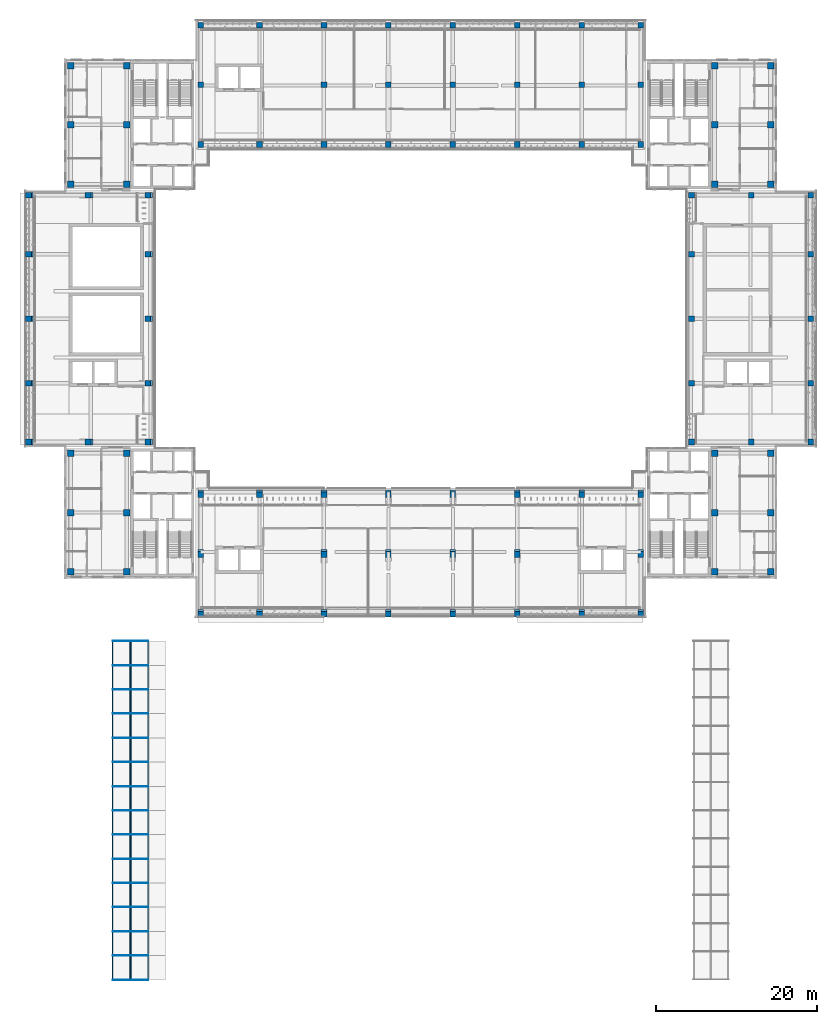
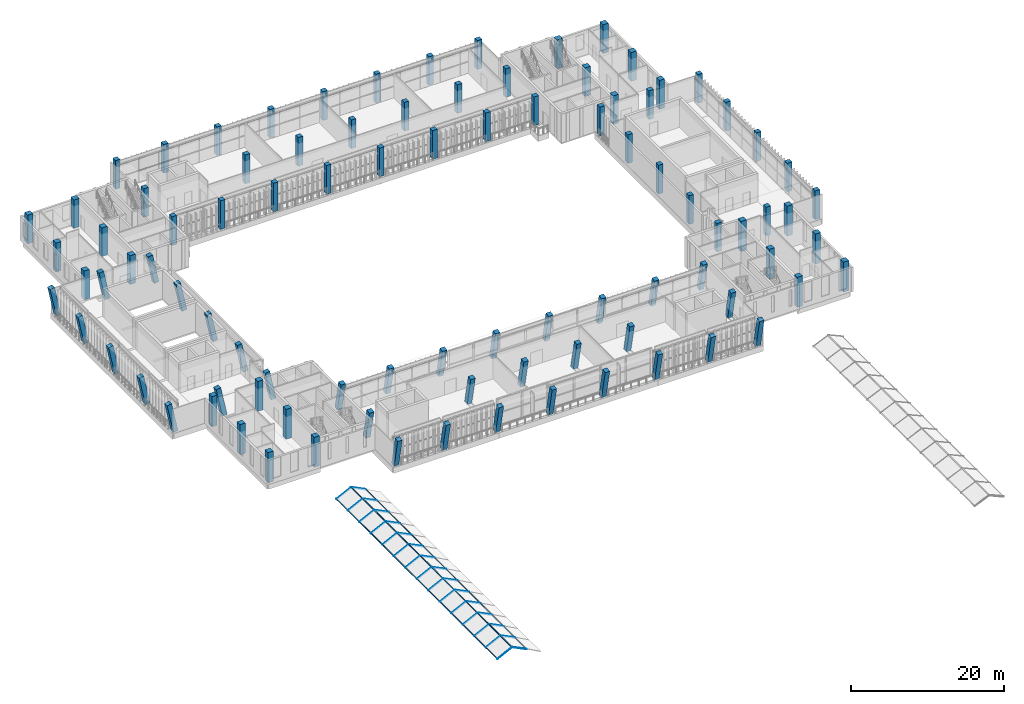
# One storey, part 1 of 73: 93 columns, 33 members, 1 element without a shape of its own.
"""IFC4 building model written with IfcOpenShell, lengths in metres."""

from ifc_helpers import new_model, si_unit, direction, frame, origin, origin_2d, place, context, subcontext, project, spatial, rectangle, extrude, material, layer, layer_set, material_profile, profile_set, type_object, element, aggregate, save


model = new_model("IFC4")

# Units and contexts
model_context = context("Model", 3, precision=1e-05, world=origin(), true_north=direction((0.0, 1.0)))
body_context = subcontext(model_context, "Body", "Model", "MODEL_VIEW")
ifc_project = project(units=[si_unit("LENGTHUNIT", "METRE"), si_unit("AREAUNIT", "SQUARE_METRE"), si_unit("VOLUMEUNIT", "CUBIC_METRE"), si_unit("PLANEANGLEUNIT", "RADIAN"), si_unit("MASSUNIT", "GRAM", prefix="KILO")], contexts=[model_context])

# Site, building, storey
site_placement = place(None, origin())
site = spatial("IfcSite", under=ifc_project, at=site_placement, CompositionType="ELEMENT")
building_placement = place(site_placement, origin())
building = spatial("IfcBuilding", under=site, at=building_placement, Name="Lantern Court Media Centre", CompositionType="ELEMENT")
storey_placement = place(building_placement, frame((0.0, 0.0, 24.0)))
storey = spatial("IfcBuildingStorey", under=building, at=storey_placement, Name="L05", CompositionType="ELEMENT", Elevation=24.0)

# Columns
ifc_material_1 = material(Name="Concrete C35", Category="concrete")
ifc_material_profile_1 = material_profile(ifc_material_1, rectangle(XDim=0.699951171875, YDim=0.699951171875, at=origin_2d()), Name="RC 700x700")
ifc_profile_set_1 = profile_set([ifc_material_profile_1], Name="Concrete C35")
column_type_1 = type_object("IfcColumnType", Name="RC COLUMN 700x700", PredefinedType="COLUMN", material=ifc_profile_set_1)
for number, where, z_axis, x_axis, name in (
    (1, (24.699951171875, 43.60009765625, 0.0), (0.0, -0.203987596239, 0.978973472869), (1.0, 0.0, 0.0), "C-S-0-0-L05"),
    (2, (32.0, 43.60009765625, 0.0), (0.0, -0.203987596239, 0.978973472869), (1.0, 0.0, 0.0), "C-S-0-1-L05"),
    (3, (40.0, 43.60009765625, 0.0), (0.0, -0.203987596239, 0.978973472869), (1.0, 0.0, 0.0), "C-S-0-2-L05"),
    (4, (48.0, 43.60009765625, 0.0), (0.0, -0.203987596239, 0.978973472869), (1.0, 0.0, 0.0), "C-S-0-3-L05"),
    (5, (56.0, 43.60009765625, 0.0), (0.0, -0.203987596239, 0.978973472869), (1.0, 0.0, 0.0), "C-S-0-4-L05"),
    (6, (64.0, 43.60009765625, 0.0), (0.0, -0.203987596239, 0.978973472869), (1.0, 0.0, 0.0), "C-S-0-5-L05"),
    (7, (72.0, 43.60009765625, 0.0), (0.0, -0.203987596239, 0.978973472869), (1.0, 0.0, 0.0), "C-S-0-6-L05"),
    (8, (79.300048828125, 43.60009765625, 0.0), (0.0, -0.203987596239, 0.978973472869), (1.0, 0.0, 0.0), "C-S-0-7-L05"),
    (9, (24.699951171875, 51.0, 0.0), (0.0, -0.203937582782, 0.978983892783), (1.0, 0.0, 0.0), "C-S-1-0-L05"),
    (10, (40.0, 51.0, 0.0), (0.0, -0.203937582782, 0.978983892783), (1.0, 0.0, 0.0), "C-S-1-2-L05"),
    (11, (48.0, 51.0, 0.0), (0.0, -0.203937582782, 0.978983892783), (1.0, 0.0, 0.0), "C-S-1-3-L05"),
    (12, (56.0, 51.0, 0.0), (0.0, -0.203937582782, 0.978983892783), (1.0, 0.0, 0.0), "C-S-1-4-L05"),
    (13, (64.0, 51.0, 0.0), (0.0, -0.203937582782, 0.978983892783), (1.0, 0.0, 0.0), "C-S-1-5-L05"),
    (14, (79.300048828125, 51.0, 0.0), (0.0, -0.203937582782, 0.978983892783), (1.0, 0.0, 0.0), "C-S-1-7-L05"),
    (15, (24.699951171875, 58.39990234375, 0.0), (0.0, -0.203937582782, 0.978983892783), (1.0, 0.0, 0.0), "C-S-2-0-L05"),
    (16, (32.0, 58.39990234375, 0.0), (0.0, -0.203937582782, 0.978983892783), (1.0, 0.0, 0.0), "C-S-2-1-L05"),
    (17, (40.0, 58.39990234375, 0.0), (0.0, -0.203937582782, 0.978983892783), (1.0, 0.0, 0.0), "C-S-2-2-L05"),
    (18, (48.0, 58.39990234375, 0.0), (0.0, -0.203937582782, 0.978983892783), (1.0, 0.0, 0.0), "C-S-2-3-L05"),
    (19, (56.0, 58.39990234375, 0.0), (0.0, -0.203937582782, 0.978983892783), (1.0, 0.0, 0.0), "C-S-2-4-L05"),
    (20, (64.0, 58.39990234375, 0.0), (0.0, -0.203937582782, 0.978983892783), (1.0, 0.0, 0.0), "C-S-2-5-L05"),
    (21, (72.0, 58.39990234375, 0.0), (0.0, -0.203937582782, 0.978983892783), (1.0, 0.0, 0.0), "C-S-2-6-L05"),
    (22, (79.300048828125, 58.39990234375, 0.0), (0.0, -0.203937582782, 0.978983892783), (1.0, 0.0, 0.0), "C-S-2-7-L05"),
):
    element("IfcColumn", number, at=place(storey_placement, frame(where, z_axis=z_axis, x_axis=x_axis)), inside=storey, type_object=column_type_1, Name=name, PredefinedType="COLUMN", context=body_context, shape_type="SweptSolid", body=[
        extrude(rectangle(XDim=0.699951171875, YDim=0.699951171875, at=origin_2d()), origin(), (0.0, 0.0, 1.0), 4.678466796875),
    ])
for number, where, z_axis, x_axis, name in (
    (23, (24.699951171875, 101.60009765625, 0.0), (0.0, 0.0, 1.0), (1.0, 0.0, 0.0), "C-N-0-0-L05"),
    (24, (32.0, 101.60009765625, 0.0), (0.0, 0.0, 1.0), (1.0, 0.0, 0.0), "C-N-0-1-L05"),
    (25, (40.0, 101.60009765625, 0.0), (0.0, 0.0, 1.0), (1.0, 0.0, 0.0), "C-N-0-2-L05"),
    (26, (48.0, 101.60009765625, 0.0), (0.0, 0.0, 1.0), (1.0, 0.0, 0.0), "C-N-0-3-L05"),
    (27, (56.0, 101.60009765625, 0.0), (0.0, 0.0, 1.0), (1.0, 0.0, 0.0), "C-N-0-4-L05"),
    (28, (64.0, 101.60009765625, 0.0), (0.0, 0.0, 1.0), (1.0, 0.0, 0.0), "C-N-0-5-L05"),
    (29, (72.0, 101.60009765625, 0.0), (0.0, 0.0, 1.0), (1.0, 0.0, 0.0), "C-N-0-6-L05"),
    (30, (79.300048828125, 101.60009765625, 0.0), (0.0, 0.0, 1.0), (1.0, 0.0, 0.0), "C-N-0-7-L05"),
    (31, (24.699951171875, 109.0, 0.0), (0.0, 0.0, 1.0), (1.0, 0.0, 0.0), "C-N-1-0-L05"),
    (32, (40.0, 109.0, 0.0), (0.0, 0.0, 1.0), (1.0, 0.0, 0.0), "C-N-1-2-L05"),
    (33, (48.0, 109.0, 0.0), (0.0, 0.0, 1.0), (1.0, 0.0, 0.0), "C-N-1-3-L05"),
    (34, (56.0, 109.0, 0.0), (0.0, 0.0, 1.0), (1.0, 0.0, 0.0), "C-N-1-4-L05"),
    (35, (64.0, 109.0, 0.0), (0.0, 0.0, 1.0), (1.0, 0.0, 0.0), "C-N-1-5-L05"),
    (36, (72.0, 109.0, 0.0), (0.0, 0.0, 1.0), (1.0, 0.0, 0.0), "C-N-1-6-L05"),
    (37, (79.300048828125, 109.0, 0.0), (0.0, 0.0, 1.0), (1.0, 0.0, 0.0), "C-N-1-7-L05"),
    (38, (24.699951171875, 116.39990234375, 0.0), (0.0, 0.0, 1.0), (1.0, 0.0, 0.0), "C-N-2-0-L05"),
    (39, (32.0, 116.39990234375, 0.0), (0.0, 0.0, 1.0), (1.0, 0.0, 0.0), "C-N-2-1-L05"),
    (40, (40.0, 116.39990234375, 0.0), (0.0, 0.0, 1.0), (1.0, 0.0, 0.0), "C-N-2-2-L05"),
    (41, (48.0, 116.39990234375, 0.0), (0.0, 0.0, 1.0), (1.0, 0.0, 0.0), "C-N-2-3-L05"),
    (42, (56.0, 116.39990234375, 0.0), (0.0, 0.0, 1.0), (1.0, 0.0, 0.0), "C-N-2-4-L05"),
    (43, (64.0, 116.39990234375, 0.0), (0.0, 0.0, 1.0), (1.0, 0.0, 0.0), "C-N-2-5-L05"),
    (44, (72.0, 116.39990234375, 0.0), (0.0, 0.0, 1.0), (1.0, 0.0, 0.0), "C-N-2-6-L05"),
    (45, (79.300048828125, 116.39990234375, 0.0), (0.0, 0.0, 1.0), (1.0, 0.0, 0.0), "C-N-2-7-L05"),
):
    element("IfcColumn", number, at=place(storey_placement, frame(where, z_axis=z_axis, x_axis=x_axis)), inside=storey, type_object=column_type_1, Name=name, PredefinedType="COLUMN", context=body_context, shape_type="SweptSolid", body=[
        extrude(rectangle(XDim=0.699951171875, YDim=0.699951171875, at=origin_2d()), origin(), (0.0, 0.0, 1.0), 4.580078125),
    ])
for number, where, z_axis, x_axis, name in (
    (46, (3.60009765625, 64.699951171875, 0.0), (-0.203987596239, 0.0, 0.978973472869), (0.0, -1.0, 0.0), "C-W-0-0-L05"),
    (47, (3.60009765625, 72.0, 0.0), (-0.203987596239, 0.0, 0.978973472869), (0.0, -1.0, 0.0), "C-W-0-1-L05"),
    (48, (3.60009765625, 80.0, 0.0), (-0.203987596239, 0.0, 0.978973472869), (0.0, -1.0, 0.0), "C-W-0-2-L05"),
    (49, (3.60009765625, 88.0, 0.0), (-0.203987596239, 0.0, 0.978973472869), (0.0, -1.0, 0.0), "C-W-0-3-L05"),
    (50, (3.60009765625, 95.300048828125, 0.0), (-0.203987596239, 0.0, 0.978973472869), (0.0, -1.0, 0.0), "C-W-0-4-L05"),
    (51, (11.0, 64.699951171875, 0.0), (-0.203937582782, 0.0, 0.978983892783), (0.0, -1.0, 0.0), "C-W-1-0-L05"),
    (52, (11.0, 95.300048828125, 0.0), (-0.203937582782, 0.0, 0.978983892783), (0.0, -1.0, 0.0), "C-W-1-4-L05"),
    (53, (18.39990234375, 64.699951171875, 0.0), (-0.203937582782, 0.0, 0.978983892783), (0.0, -1.0, 0.0), "C-W-2-0-L05"),
    (54, (18.39990234375, 72.0, 0.0), (-0.203937582782, 0.0, 0.978983892783), (0.0, -1.0, 0.0), "C-W-2-1-L05"),
    (55, (18.39990234375, 80.0, 0.0), (-0.203937582782, 0.0, 0.978983892783), (0.0, -1.0, 0.0), "C-W-2-2-L05"),
    (56, (18.39990234375, 88.0, 0.0), (-0.203937582782, 0.0, 0.978983892783), (0.0, -1.0, 0.0), "C-W-2-3-L05"),
    (57, (18.39990234375, 95.300048828125, 0.0), (-0.203937582782, 0.0, 0.978983892783), (0.0, -1.0, 0.0), "C-W-2-4-L05"),
):
    element("IfcColumn", number, at=place(storey_placement, frame(where, z_axis=z_axis, x_axis=x_axis)), inside=storey, type_object=column_type_1, Name=name, PredefinedType="COLUMN", context=body_context, shape_type="SweptSolid", body=[
        extrude(rectangle(XDim=0.699951171875, YDim=0.699951171875, at=origin_2d()), origin(), (0.0, 0.0, 1.0), 4.678466796875),
    ])
for number, where, z_axis, x_axis, name in (
    (58, (85.60009765625, 64.699951171875, 0.0), (0.0, 0.0, 1.0), (1.0, 0.0, 0.0), "C-E-0-0-L05"),
    (59, (85.60009765625, 72.0, 0.0), (0.0, 0.0, 1.0), (1.0, 0.0, 0.0), "C-E-0-1-L05"),
    (60, (85.60009765625, 80.0, 0.0), (0.0, 0.0, 1.0), (1.0, 0.0, 0.0), "C-E-0-2-L05"),
    (61, (85.60009765625, 88.0, 0.0), (0.0, 0.0, 1.0), (1.0, 0.0, 0.0), "C-E-0-3-L05"),
    (62, (85.60009765625, 95.300048828125, 0.0), (0.0, 0.0, 1.0), (1.0, 0.0, 0.0), "C-E-0-4-L05"),
    (63, (93.0, 64.699951171875, 0.0), (0.0, 0.0, 1.0), (1.0, 0.0, 0.0), "C-E-1-0-L05"),
    (64, (93.0, 95.300048828125, 0.0), (0.0, 0.0, 1.0), (1.0, 0.0, 0.0), "C-E-1-4-L05"),
    (65, (100.39990234375, 64.699951171875, 0.0), (0.0, 0.0, 1.0), (1.0, 0.0, 0.0), "C-E-2-0-L05"),
    (66, (100.39990234375, 72.0, 0.0), (0.0, 0.0, 1.0), (1.0, 0.0, 0.0), "C-E-2-1-L05"),
    (67, (100.39990234375, 80.0, 0.0), (0.0, 0.0, 1.0), (1.0, 0.0, 0.0), "C-E-2-2-L05"),
    (68, (100.39990234375, 88.0, 0.0), (0.0, 0.0, 1.0), (1.0, 0.0, 0.0), "C-E-2-3-L05"),
    (69, (100.39990234375, 95.300048828125, 0.0), (0.0, 0.0, 1.0), (1.0, 0.0, 0.0), "C-E-2-4-L05"),
):
    element("IfcColumn", number, at=place(storey_placement, frame(where, z_axis=z_axis, x_axis=x_axis)), inside=storey, type_object=column_type_1, Name=name, PredefinedType="COLUMN", context=body_context, shape_type="SweptSolid", body=[
        extrude(rectangle(XDim=0.699951171875, YDim=0.699951171875, at=origin_2d()), origin(), (0.0, 0.0, 1.0), 4.580078125),
    ])
ifc_material_profile_2 = material_profile(ifc_material_1, rectangle(XDim=0.800048828125, YDim=0.800048828125, at=origin_2d()), Name="RC 800x800")
ifc_profile_set_2 = profile_set([ifc_material_profile_2], Name="Concrete C35")
column_type_2 = type_object("IfcColumnType", Name="RC COLUMN 800x800", PredefinedType="COLUMN", material=ifc_profile_set_2)
for number, where, z_axis, x_axis, name in (
    (70, (8.60009765625, 48.60009765625, 0.0), (0.0, 0.0, 1.0), (1.0, 0.0, 0.0), "C-SW-0-L05"),
    (71, (8.60009765625, 55.949951171875, 0.0), (0.0, 0.0, 1.0), (1.0, 0.0, 0.0), "C-SW-1-L05"),
    (72, (8.60009765625, 63.300048828125, 0.0), (0.0, 0.0, 1.0), (1.0, 0.0, 0.0), "C-SW-2-L05"),
    (73, (15.550048828125, 48.60009765625, 0.0), (0.0, 0.0, 1.0), (1.0, 0.0, 0.0), "C-SW-3-L05"),
    (74, (15.550048828125, 55.949951171875, 0.0), (0.0, 0.0, 1.0), (1.0, 0.0, 0.0), "C-SW-4-L05"),
    (75, (15.550048828125, 63.300048828125, 0.0), (0.0, 0.0, 1.0), (1.0, 0.0, 0.0), "C-SW-5-L05"),
    (76, (88.449951171875, 48.60009765625, 0.0), (0.0, 0.0, 1.0), (1.0, 0.0, 0.0), "C-SE-0-L05"),
    (77, (88.449951171875, 55.949951171875, 0.0), (0.0, 0.0, 1.0), (1.0, 0.0, 0.0), "C-SE-1-L05"),
    (78, (88.449951171875, 63.300048828125, 0.0), (0.0, 0.0, 1.0), (1.0, 0.0, 0.0), "C-SE-2-L05"),
    (79, (95.39990234375, 48.60009765625, 0.0), (0.0, 0.0, 1.0), (1.0, 0.0, 0.0), "C-SE-3-L05"),
    (80, (95.39990234375, 55.949951171875, 0.0), (0.0, 0.0, 1.0), (1.0, 0.0, 0.0), "C-SE-4-L05"),
    (81, (95.39990234375, 63.300048828125, 0.0), (0.0, 0.0, 1.0), (1.0, 0.0, 0.0), "C-SE-5-L05"),
):
    element("IfcColumn", number, at=place(storey_placement, frame(where, z_axis=z_axis, x_axis=x_axis)), inside=storey, type_object=column_type_2, Name=name, PredefinedType="COLUMN", context=body_context, shape_type="SweptSolid", body=[
        extrude(rectangle(XDim=0.800048828125, YDim=0.800048828125, at=origin_2d()), origin(), (0.0, 0.0, 1.0), 4.800048828125),
    ])
for number, where, z_axis, x_axis, name in (
    (82, (8.60009765625, 96.699951171875, 0.0), (0.0, 0.0, 1.0), (1.0, 0.0, 0.0), "C-NW-0-L05"),
    (83, (8.60009765625, 104.050048828125, 0.0), (0.0, 0.0, 1.0), (1.0, 0.0, 0.0), "C-NW-1-L05"),
    (84, (8.60009765625, 111.39990234375, 0.0), (0.0, 0.0, 1.0), (1.0, 0.0, 0.0), "C-NW-2-L05"),
    (85, (15.550048828125, 96.699951171875, 0.0), (0.0, 0.0, 1.0), (1.0, 0.0, 0.0), "C-NW-3-L05"),
    (86, (15.550048828125, 104.050048828125, 0.0), (0.0, 0.0, 1.0), (1.0, 0.0, 0.0), "C-NW-4-L05"),
    (87, (15.550048828125, 111.39990234375, 0.0), (0.0, 0.0, 1.0), (1.0, 0.0, 0.0), "C-NW-5-L05"),
    (88, (88.449951171875, 96.699951171875, 0.0), (0.0, 0.0, 1.0), (1.0, 0.0, 0.0), "C-NE-0-L05"),
    (89, (88.449951171875, 104.050048828125, 0.0), (0.0, 0.0, 1.0), (1.0, 0.0, 0.0), "C-NE-1-L05"),
    (90, (88.449951171875, 111.39990234375, 0.0), (0.0, 0.0, 1.0), (1.0, 0.0, 0.0), "C-NE-2-L05"),
    (91, (95.39990234375, 96.699951171875, 0.0), (0.0, 0.0, 1.0), (1.0, 0.0, 0.0), "C-NE-3-L05"),
    (92, (95.39990234375, 104.050048828125, 0.0), (0.0, 0.0, 1.0), (1.0, 0.0, 0.0), "C-NE-4-L05"),
    (93, (95.39990234375, 111.39990234375, 0.0), (0.0, 0.0, 1.0), (1.0, 0.0, 0.0), "C-NE-5-L05"),
):
    element("IfcColumn", number, at=place(storey_placement, frame(where, z_axis=z_axis, x_axis=x_axis)), inside=storey, type_object=column_type_2, Name=name, PredefinedType="COLUMN", context=body_context, shape_type="SweptSolid", body=[
        extrude(rectangle(XDim=0.800048828125, YDim=0.800048828125, at=origin_2d()), origin(), (0.0, 0.0, 1.0), 4.580078125),
    ])

# Curtain wall, members
ifc_material_2 = material(Name="Aluminium and glass", Category="aluminium")
ifc_layer = layer(ifc_material_2, 0.14990234375)
ifc_layer_set = layer_set([ifc_layer], Name="Aluminium and glass")
curtain_wall_type = type_object("IfcCurtainWallType", Name="Hall lancet glazing", PredefinedType="NOTDEFINED", material=ifc_layer_set)
curtain_wall_placement = place(storey_placement, origin())
curtain_wall = element("IfcCurtainWall", 94, at=curtain_wall_placement, inside=storey, type_object=curtain_wall_type, Name="Cinema Hall ridge roof-light", PredefinedType="NOTDEFINED")
ifc_material_3 = material(Name="Aluminium, anodised", Category="aluminium")
ifc_material_profile_3 = material_profile(ifc_material_3, rectangle(XDim=0.139892578125, YDim=0.06005859375, at=origin_2d()), Name="Ridge and eave bar")
ifc_profile_set_3 = profile_set([ifc_material_profile_3], Name="Aluminium, anodised")
member_type_1 = type_object("IfcMemberType", Name="Ridge and eave bar", PredefinedType="USERDEFINED", material=ifc_profile_set_3)
member_1_placement = place(storey_placement, frame((13.81591796875, -2.0, 0.41748046875), z_axis=(0.0, 1.0, 0.0), x_axis=(-0.8960124287, 0.0, -0.444028971595)))
member_1 = element("IfcMember", 95, at=member_1_placement, type_object=member_type_1, Name="Cinema Hall ridge and eave bar", ObjectType="TRANSOM", PredefinedType="USERDEFINED", context=body_context, shape_type="SweptSolid", body=[
    extrude(rectangle(XDim=0.139892578125, YDim=0.06005859375, at=origin_2d()), origin(), (0.0, 0.0, 1.0), 42.0),
])
member_2_placement = place(storey_placement, frame((16.0, -2.0, 1.5), z_axis=(0.0, 1.0, 0.0), x_axis=(-1.0, 0.0, 0.0)))
member_2 = element("IfcMember", 96, at=member_2_placement, type_object=member_type_1, Name="Cinema Hall ridge and eave bar", ObjectType="TRANSOM", PredefinedType="USERDEFINED", context=body_context, shape_type="SweptSolid", body=[
    extrude(rectangle(XDim=0.139892578125, YDim=0.06005859375, at=origin_2d()), origin(), (0.0, 0.0, 1.0), 42.0),
])
member_3_placement = place(storey_placement, frame((18.18408203125, -2.0, 0.41748046875), z_axis=(0.0, 1.0, 0.0), x_axis=(-0.8960124287, 0.0, 0.444028971595)))
member_3 = element("IfcMember", 97, at=member_3_placement, type_object=member_type_1, Name="Cinema Hall ridge and eave bar", ObjectType="TRANSOM", PredefinedType="USERDEFINED", context=body_context, shape_type="SweptSolid", body=[
    extrude(rectangle(XDim=0.139892578125, YDim=0.06005859375, at=origin_2d()), origin(), (0.0, 0.0, 1.0), 42.0),
])
ifc_material_profile_4 = material_profile(ifc_material_3, rectangle(XDim=0.06005859375, YDim=0.06005859375, at=origin_2d()), Name="Roof-light bar")
ifc_profile_set_4 = profile_set([ifc_material_profile_4], Name="Aluminium, anodised")
member_type_2 = type_object("IfcMemberType", Name="Roof-light bar", PredefinedType="MULLION", material=ifc_profile_set_4)
member_4_placement = place(storey_placement, frame((13.802490234375, -2.0, 0.414306640625), z_axis=(0.895984146105, 0.0, 0.444086038881), x_axis=(0.0, 1.0, 0.0)))
member_4 = element("IfcMember", 98, at=member_4_placement, type_object=member_type_2, Name="Cinema Hall roof-light bar", PredefinedType="MULLION", context=body_context, shape_type="SweptSolid", body=[
    extrude(rectangle(XDim=0.06005859375, YDim=0.06005859375, at=origin_2d()), origin(), (0.0, 0.0, 1.0), 2.437744140625),
])
member_5_placement = place(storey_placement, frame((13.802490234375, 1.0, 0.414306640625), z_axis=(0.895984146105, 0.0, 0.444086038881), x_axis=(0.0, 1.0, 0.0)))
member_5 = element("IfcMember", 99, at=member_5_placement, type_object=member_type_2, Name="Cinema Hall roof-light bar", PredefinedType="MULLION", context=body_context, shape_type="SweptSolid", body=[
    extrude(rectangle(XDim=0.06005859375, YDim=0.06005859375, at=origin_2d()), origin(), (0.0, 0.0, 1.0), 2.437744140625),
])
member_6_placement = place(storey_placement, frame((13.802490234375, 4.0, 0.414306640625), z_axis=(0.895984146105, 0.0, 0.444086038881), x_axis=(0.0, 1.0, 0.0)))
member_6 = element("IfcMember", 100, at=member_6_placement, type_object=member_type_2, Name="Cinema Hall roof-light bar", PredefinedType="MULLION", context=body_context, shape_type="SweptSolid", body=[
    extrude(rectangle(XDim=0.06005859375, YDim=0.06005859375, at=origin_2d()), origin(), (0.0, 0.0, 1.0), 2.437744140625),
])
member_7_placement = place(storey_placement, frame((13.802490234375, 7.0, 0.414306640625), z_axis=(0.895984146105, 0.0, 0.444086038881), x_axis=(0.0, 1.0, 0.0)))
member_7 = element("IfcMember", 101, at=member_7_placement, type_object=member_type_2, Name="Cinema Hall roof-light bar", PredefinedType="MULLION", context=body_context, shape_type="SweptSolid", body=[
    extrude(rectangle(XDim=0.06005859375, YDim=0.06005859375, at=origin_2d()), origin(), (0.0, 0.0, 1.0), 2.437744140625),
])
member_8_placement = place(storey_placement, frame((13.802490234375, 10.0, 0.414306640625), z_axis=(0.895984146105, 0.0, 0.444086038881), x_axis=(0.0, 1.0, 0.0)))
member_8 = element("IfcMember", 102, at=member_8_placement, type_object=member_type_2, Name="Cinema Hall roof-light bar", PredefinedType="MULLION", context=body_context, shape_type="SweptSolid", body=[
    extrude(rectangle(XDim=0.06005859375, YDim=0.06005859375, at=origin_2d()), origin(), (0.0, 0.0, 1.0), 2.437744140625),
])
member_9_placement = place(storey_placement, frame((13.802490234375, 13.0, 0.414306640625), z_axis=(0.895984146105, 0.0, 0.444086038881), x_axis=(0.0, 1.0, 0.0)))
member_9 = element("IfcMember", 103, at=member_9_placement, type_object=member_type_2, Name="Cinema Hall roof-light bar", PredefinedType="MULLION", context=body_context, shape_type="SweptSolid", body=[
    extrude(rectangle(XDim=0.06005859375, YDim=0.06005859375, at=origin_2d()), origin(), (0.0, 0.0, 1.0), 2.437744140625),
])
member_10_placement = place(storey_placement, frame((13.802490234375, 16.0, 0.414306640625), z_axis=(0.895984146105, 0.0, 0.444086038881), x_axis=(0.0, 1.0, 0.0)))
member_10 = element("IfcMember", 104, at=member_10_placement, type_object=member_type_2, Name="Cinema Hall roof-light bar", PredefinedType="MULLION", context=body_context, shape_type="SweptSolid", body=[
    extrude(rectangle(XDim=0.06005859375, YDim=0.06005859375, at=origin_2d()), origin(), (0.0, 0.0, 1.0), 2.437744140625),
])
member_11_placement = place(storey_placement, frame((13.802490234375, 19.0, 0.414306640625), z_axis=(0.895984146105, 0.0, 0.444086038881), x_axis=(0.0, 1.0, 0.0)))
member_11 = element("IfcMember", 105, at=member_11_placement, type_object=member_type_2, Name="Cinema Hall roof-light bar", PredefinedType="MULLION", context=body_context, shape_type="SweptSolid", body=[
    extrude(rectangle(XDim=0.06005859375, YDim=0.06005859375, at=origin_2d()), origin(), (0.0, 0.0, 1.0), 2.437744140625),
])
member_12_placement = place(storey_placement, frame((13.802490234375, 22.0, 0.414306640625), z_axis=(0.895984146105, 0.0, 0.444086038881), x_axis=(0.0, 1.0, 0.0)))
member_12 = element("IfcMember", 106, at=member_12_placement, type_object=member_type_2, Name="Cinema Hall roof-light bar", PredefinedType="MULLION", context=body_context, shape_type="SweptSolid", body=[
    extrude(rectangle(XDim=0.06005859375, YDim=0.06005859375, at=origin_2d()), origin(), (0.0, 0.0, 1.0), 2.437744140625),
])
member_13_placement = place(storey_placement, frame((13.802490234375, 25.0, 0.414306640625), z_axis=(0.895984146105, 0.0, 0.444086038881), x_axis=(0.0, 1.0, 0.0)))
member_13 = element("IfcMember", 107, at=member_13_placement, type_object=member_type_2, Name="Cinema Hall roof-light bar", PredefinedType="MULLION", context=body_context, shape_type="SweptSolid", body=[
    extrude(rectangle(XDim=0.06005859375, YDim=0.06005859375, at=origin_2d()), origin(), (0.0, 0.0, 1.0), 2.437744140625),
])
member_14_placement = place(storey_placement, frame((13.802490234375, 28.0, 0.414306640625), z_axis=(0.895984146105, 0.0, 0.444086038881), x_axis=(0.0, 1.0, 0.0)))
member_14 = element("IfcMember", 108, at=member_14_placement, type_object=member_type_2, Name="Cinema Hall roof-light bar", PredefinedType="MULLION", context=body_context, shape_type="SweptSolid", body=[
    extrude(rectangle(XDim=0.06005859375, YDim=0.06005859375, at=origin_2d()), origin(), (0.0, 0.0, 1.0), 2.437744140625),
])
member_15_placement = place(storey_placement, frame((13.802490234375, 31.0, 0.414306640625), z_axis=(0.895984146105, 0.0, 0.444086038881), x_axis=(0.0, 1.0, 0.0)))
member_15 = element("IfcMember", 109, at=member_15_placement, type_object=member_type_2, Name="Cinema Hall roof-light bar", PredefinedType="MULLION", context=body_context, shape_type="SweptSolid", body=[
    extrude(rectangle(XDim=0.06005859375, YDim=0.06005859375, at=origin_2d()), origin(), (0.0, 0.0, 1.0), 2.437744140625),
])
member_16_placement = place(storey_placement, frame((13.802490234375, 34.0, 0.414306640625), z_axis=(0.895984146105, 0.0, 0.444086038881), x_axis=(0.0, 1.0, 0.0)))
member_16 = element("IfcMember", 110, at=member_16_placement, type_object=member_type_2, Name="Cinema Hall roof-light bar", PredefinedType="MULLION", context=body_context, shape_type="SweptSolid", body=[
    extrude(rectangle(XDim=0.06005859375, YDim=0.06005859375, at=origin_2d()), origin(), (0.0, 0.0, 1.0), 2.437744140625),
])
member_17_placement = place(storey_placement, frame((13.802490234375, 37.0, 0.414306640625), z_axis=(0.895984146105, 0.0, 0.444086038881), x_axis=(0.0, 1.0, 0.0)))
member_17 = element("IfcMember", 111, at=member_17_placement, type_object=member_type_2, Name="Cinema Hall roof-light bar", PredefinedType="MULLION", context=body_context, shape_type="SweptSolid", body=[
    extrude(rectangle(XDim=0.06005859375, YDim=0.06005859375, at=origin_2d()), origin(), (0.0, 0.0, 1.0), 2.437744140625),
])
member_18_placement = place(storey_placement, frame((13.802490234375, 40.0, 0.414306640625), z_axis=(0.895984146105, 0.0, 0.444086038881), x_axis=(0.0, 1.0, 0.0)))
member_18 = element("IfcMember", 112, at=member_18_placement, type_object=member_type_2, Name="Cinema Hall roof-light bar", PredefinedType="MULLION", context=body_context, shape_type="SweptSolid", body=[
    extrude(rectangle(XDim=0.06005859375, YDim=0.06005859375, at=origin_2d()), origin(), (0.0, 0.0, 1.0), 2.437744140625),
])
member_19_placement = place(storey_placement, frame((16.013427734375, -2.0, 1.496826171875), z_axis=(0.895984146105, 0.0, -0.444086038881), x_axis=(0.0, 1.0, 0.0)))
member_19 = element("IfcMember", 113, at=member_19_placement, type_object=member_type_2, Name="Cinema Hall roof-light bar", PredefinedType="MULLION", context=body_context, shape_type="SweptSolid", body=[
    extrude(rectangle(XDim=0.06005859375, YDim=0.06005859375, at=origin_2d()), origin(), (0.0, 0.0, 1.0), 2.437744140625),
])
member_20_placement = place(storey_placement, frame((16.013427734375, 1.0, 1.496826171875), z_axis=(0.895984146105, 0.0, -0.444086038881), x_axis=(0.0, 1.0, 0.0)))
member_20 = element("IfcMember", 114, at=member_20_placement, type_object=member_type_2, Name="Cinema Hall roof-light bar", PredefinedType="MULLION", context=body_context, shape_type="SweptSolid", body=[
    extrude(rectangle(XDim=0.06005859375, YDim=0.06005859375, at=origin_2d()), origin(), (0.0, 0.0, 1.0), 2.437744140625),
])
member_21_placement = place(storey_placement, frame((16.013427734375, 4.0, 1.496826171875), z_axis=(0.895984146105, 0.0, -0.444086038881), x_axis=(0.0, 1.0, 0.0)))
member_21 = element("IfcMember", 115, at=member_21_placement, type_object=member_type_2, Name="Cinema Hall roof-light bar", PredefinedType="MULLION", context=body_context, shape_type="SweptSolid", body=[
    extrude(rectangle(XDim=0.06005859375, YDim=0.06005859375, at=origin_2d()), origin(), (0.0, 0.0, 1.0), 2.437744140625),
])
member_22_placement = place(storey_placement, frame((16.013427734375, 7.0, 1.496826171875), z_axis=(0.895984146105, 0.0, -0.444086038881), x_axis=(0.0, 1.0, 0.0)))
member_22 = element("IfcMember", 116, at=member_22_placement, type_object=member_type_2, Name="Cinema Hall roof-light bar", PredefinedType="MULLION", context=body_context, shape_type="SweptSolid", body=[
    extrude(rectangle(XDim=0.06005859375, YDim=0.06005859375, at=origin_2d()), origin(), (0.0, 0.0, 1.0), 2.437744140625),
])
member_23_placement = place(storey_placement, frame((16.013427734375, 10.0, 1.496826171875), z_axis=(0.895984146105, 0.0, -0.444086038881), x_axis=(0.0, 1.0, 0.0)))
member_23 = element("IfcMember", 117, at=member_23_placement, type_object=member_type_2, Name="Cinema Hall roof-light bar", PredefinedType="MULLION", context=body_context, shape_type="SweptSolid", body=[
    extrude(rectangle(XDim=0.06005859375, YDim=0.06005859375, at=origin_2d()), origin(), (0.0, 0.0, 1.0), 2.437744140625),
])
member_24_placement = place(storey_placement, frame((16.013427734375, 13.0, 1.496826171875), z_axis=(0.895984146105, 0.0, -0.444086038881), x_axis=(0.0, 1.0, 0.0)))
member_24 = element("IfcMember", 118, at=member_24_placement, type_object=member_type_2, Name="Cinema Hall roof-light bar", PredefinedType="MULLION", context=body_context, shape_type="SweptSolid", body=[
    extrude(rectangle(XDim=0.06005859375, YDim=0.06005859375, at=origin_2d()), origin(), (0.0, 0.0, 1.0), 2.437744140625),
])
member_25_placement = place(storey_placement, frame((16.013427734375, 16.0, 1.496826171875), z_axis=(0.895984146105, 0.0, -0.444086038881), x_axis=(0.0, 1.0, 0.0)))
member_25 = element("IfcMember", 119, at=member_25_placement, type_object=member_type_2, Name="Cinema Hall roof-light bar", PredefinedType="MULLION", context=body_context, shape_type="SweptSolid", body=[
    extrude(rectangle(XDim=0.06005859375, YDim=0.06005859375, at=origin_2d()), origin(), (0.0, 0.0, 1.0), 2.437744140625),
])
member_26_placement = place(storey_placement, frame((16.013427734375, 19.0, 1.496826171875), z_axis=(0.895984146105, 0.0, -0.444086038881), x_axis=(0.0, 1.0, 0.0)))
member_26 = element("IfcMember", 120, at=member_26_placement, type_object=member_type_2, Name="Cinema Hall roof-light bar", PredefinedType="MULLION", context=body_context, shape_type="SweptSolid", body=[
    extrude(rectangle(XDim=0.06005859375, YDim=0.06005859375, at=origin_2d()), origin(), (0.0, 0.0, 1.0), 2.437744140625),
])
member_27_placement = place(storey_placement, frame((16.013427734375, 22.0, 1.496826171875), z_axis=(0.895984146105, 0.0, -0.444086038881), x_axis=(0.0, 1.0, 0.0)))
member_27 = element("IfcMember", 121, at=member_27_placement, type_object=member_type_2, Name="Cinema Hall roof-light bar", PredefinedType="MULLION", context=body_context, shape_type="SweptSolid", body=[
    extrude(rectangle(XDim=0.06005859375, YDim=0.06005859375, at=origin_2d()), origin(), (0.0, 0.0, 1.0), 2.437744140625),
])
member_28_placement = place(storey_placement, frame((16.013427734375, 25.0, 1.496826171875), z_axis=(0.895984146105, 0.0, -0.444086038881), x_axis=(0.0, 1.0, 0.0)))
member_28 = element("IfcMember", 122, at=member_28_placement, type_object=member_type_2, Name="Cinema Hall roof-light bar", PredefinedType="MULLION", context=body_context, shape_type="SweptSolid", body=[
    extrude(rectangle(XDim=0.06005859375, YDim=0.06005859375, at=origin_2d()), origin(), (0.0, 0.0, 1.0), 2.437744140625),
])
member_29_placement = place(storey_placement, frame((16.013427734375, 28.0, 1.496826171875), z_axis=(0.895984146105, 0.0, -0.444086038881), x_axis=(0.0, 1.0, 0.0)))
member_29 = element("IfcMember", 123, at=member_29_placement, type_object=member_type_2, Name="Cinema Hall roof-light bar", PredefinedType="MULLION", context=body_context, shape_type="SweptSolid", body=[
    extrude(rectangle(XDim=0.06005859375, YDim=0.06005859375, at=origin_2d()), origin(), (0.0, 0.0, 1.0), 2.437744140625),
])
member_30_placement = place(storey_placement, frame((16.013427734375, 31.0, 1.496826171875), z_axis=(0.895984146105, 0.0, -0.444086038881), x_axis=(0.0, 1.0, 0.0)))
member_30 = element("IfcMember", 124, at=member_30_placement, type_object=member_type_2, Name="Cinema Hall roof-light bar", PredefinedType="MULLION", context=body_context, shape_type="SweptSolid", body=[
    extrude(rectangle(XDim=0.06005859375, YDim=0.06005859375, at=origin_2d()), origin(), (0.0, 0.0, 1.0), 2.437744140625),
])
member_31_placement = place(storey_placement, frame((16.013427734375, 34.0, 1.496826171875), z_axis=(0.895984146105, 0.0, -0.444086038881), x_axis=(0.0, 1.0, 0.0)))
member_31 = element("IfcMember", 125, at=member_31_placement, type_object=member_type_2, Name="Cinema Hall roof-light bar", PredefinedType="MULLION", context=body_context, shape_type="SweptSolid", body=[
    extrude(rectangle(XDim=0.06005859375, YDim=0.06005859375, at=origin_2d()), origin(), (0.0, 0.0, 1.0), 2.437744140625),
])
member_32_placement = place(storey_placement, frame((16.013427734375, 37.0, 1.496826171875), z_axis=(0.895984146105, 0.0, -0.444086038881), x_axis=(0.0, 1.0, 0.0)))
member_32 = element("IfcMember", 126, at=member_32_placement, type_object=member_type_2, Name="Cinema Hall roof-light bar", PredefinedType="MULLION", context=body_context, shape_type="SweptSolid", body=[
    extrude(rectangle(XDim=0.06005859375, YDim=0.06005859375, at=origin_2d()), origin(), (0.0, 0.0, 1.0), 2.437744140625),
])
member_33_placement = place(storey_placement, frame((16.013427734375, 40.0, 1.496826171875), z_axis=(0.895984146105, 0.0, -0.444086038881), x_axis=(0.0, 1.0, 0.0)))
member_33 = element("IfcMember", 127, at=member_33_placement, type_object=member_type_2, Name="Cinema Hall roof-light bar", PredefinedType="MULLION", context=body_context, shape_type="SweptSolid", body=[
    extrude(rectangle(XDim=0.06005859375, YDim=0.06005859375, at=origin_2d()), origin(), (0.0, 0.0, 1.0), 2.437744140625),
])
aggregate(curtain_wall, [member_4, member_5, member_6, member_7, member_8, member_9, member_10, member_11, member_12, member_13, member_14, member_15, member_16, member_17, member_18, member_19, member_20, member_21, member_22, member_23, member_24, member_25, member_26, member_27, member_28, member_29, member_30, member_31, member_32, member_33, member_1, member_2, member_3])

save(model, "model.ifc")
